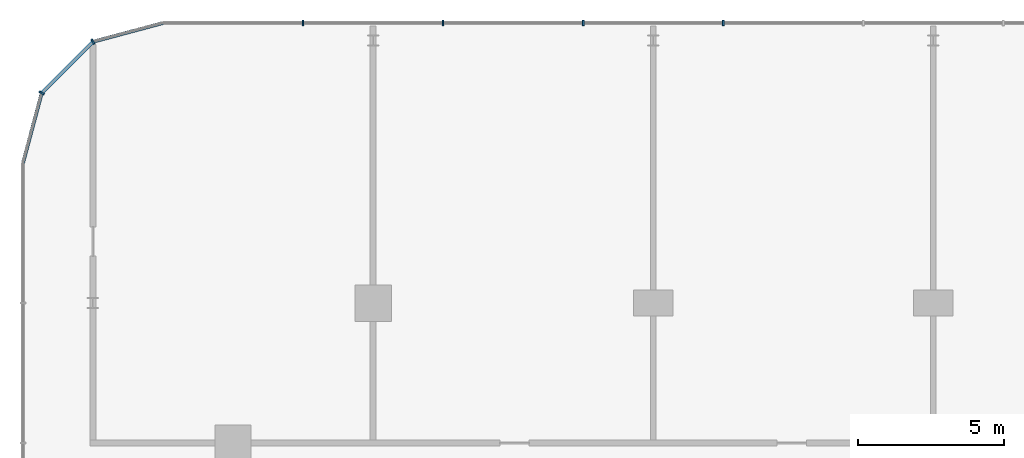
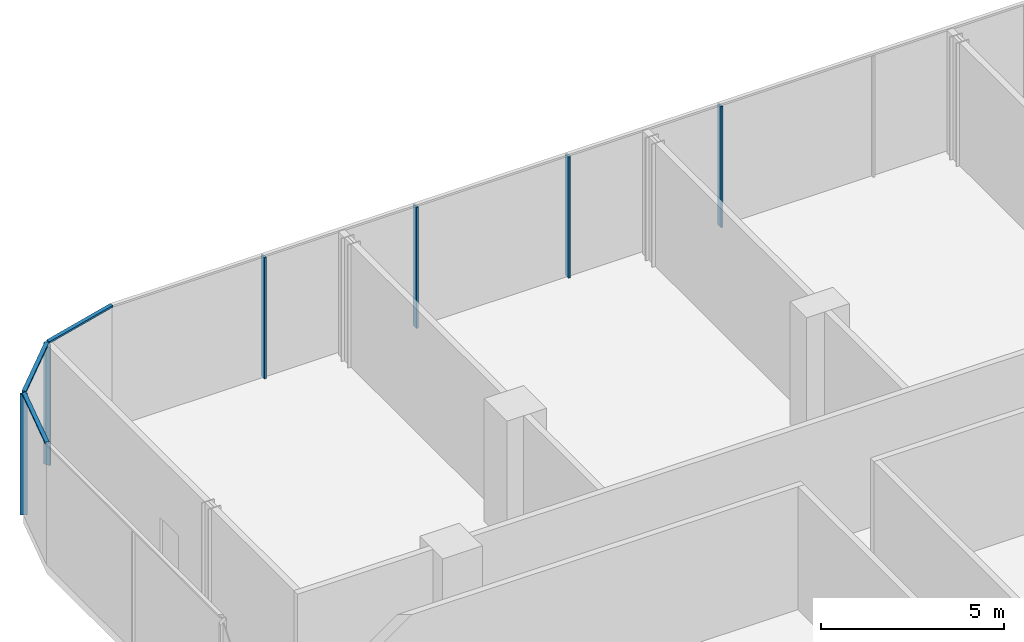
# One storey, part 15 of 32: 9 members, 2 elements without a shape of their own.
"""IFC4 building model written with IfcOpenShell, lengths in metres."""

from ifc_helpers import new_model, si_unit, direction, frame, origin, origin_2d, place, context, subcontext, project, spatial, rectangle, extrude, material, layer, layer_set, material_profile, profile_set, type_object, element, aggregate, save


model = new_model("IFC4")

# Units and contexts
model_context = context("Model", 3, precision=1e-05, world=origin(), true_north=direction((0.0, 1.0)))
body_context = subcontext(model_context, "Body", "Model", "MODEL_VIEW")
ifc_project = project(units=[si_unit("LENGTHUNIT", "METRE"), si_unit("AREAUNIT", "SQUARE_METRE"), si_unit("VOLUMEUNIT", "CUBIC_METRE"), si_unit("PLANEANGLEUNIT", "RADIAN"), si_unit("MASSUNIT", "GRAM", prefix="KILO")], contexts=[model_context])

# Site, building, storey
site_placement = place(None, origin())
site = spatial("IfcSite", under=ifc_project, at=site_placement, CompositionType="ELEMENT")
building_placement = place(site_placement, origin())
building = spatial("IfcBuilding", under=site, at=building_placement, Name="Madar Terraces", CompositionType="ELEMENT")
storey_placement = place(building_placement, frame((0.0, 0.0, 19.5)))
storey = spatial("IfcBuildingStorey", under=building, at=storey_placement, Name="L04", CompositionType="ELEMENT", Elevation=19.5)

# Curtain wall, members
ifc_material_1 = material(Name="Glass, clear low-iron, with black aluminium frame", Category="aluminium")
ifc_layer = layer(ifc_material_1, 0.199951171875)
ifc_layer_set = layer_set([ifc_layer], Name="Facade curtain wall, shopfront glazing")
curtain_wall_type = type_object("IfcCurtainWallType", Name="Facade curtain wall, shopfront glazing", PredefinedType="NOTDEFINED", material=ifc_layer_set)
curtain_wall_1_placement = place(storey_placement, origin())
curtain_wall_1 = element("IfcCurtainWall", 1, at=curtain_wall_1_placement, inside=storey, type_object=curtain_wall_type, Name="Outer skin curtain wall north bay 1", PredefinedType="NOTDEFINED")
ifc_material_2 = material(Name="Aluminium, black anodised", Category="aluminium")
ifc_material_profile_1 = material_profile(ifc_material_2, rectangle(XDim=0.199951171875, YDim=0.06005859375, at=origin_2d()), Name="Facade mullion 60x200")
ifc_profile_set_1 = profile_set([ifc_material_profile_1], Name="Aluminium, black anodised")
member_type_1 = type_object("IfcMemberType", Name="Facade mullion 60x200", PredefinedType="MULLION", material=ifc_profile_set_1)
member_1_placement = place(storey_placement, frame((16.800048828125, 57.60009765625, 0.0), z_axis=(0.0, 0.0, 1.0), x_axis=(0.0, -1.0, 0.0)))
member_1 = element("IfcMember", 2, at=member_1_placement, type_object=member_type_1, Name="Mullion 10", PredefinedType="MULLION", context=body_context, shape_type="SweptSolid", body=[
    extrude(rectangle(XDim=0.199951171875, YDim=0.06005859375, at=origin_2d()), origin(), (0.0, 0.0, 1.0), 4.0400390625),
])
member_2_placement = place(storey_placement, frame((12.0, 57.60009765625, 0.0), z_axis=(0.0, 0.0, 1.0), x_axis=(0.0, -1.0, 0.0)))
member_2 = element("IfcMember", 3, at=member_2_placement, type_object=member_type_1, Name="Mullion 11", PredefinedType="MULLION", context=body_context, shape_type="SweptSolid", body=[
    extrude(rectangle(XDim=0.199951171875, YDim=0.06005859375, at=origin_2d()), origin(), (0.0, 0.0, 1.0), 4.0400390625),
])
member_3_placement = place(storey_placement, frame((7.199951171875, 57.60009765625, 0.0), z_axis=(0.0, 0.0, 1.0), x_axis=(0.0, -1.0, 0.0)))
member_3 = element("IfcMember", 4, at=member_3_placement, type_object=member_type_1, Name="Mullion 12", PredefinedType="MULLION", context=body_context, shape_type="SweptSolid", body=[
    extrude(rectangle(XDim=0.199951171875, YDim=0.06005859375, at=origin_2d()), origin(), (0.0, 0.0, 1.0), 4.0400390625),
])
member_4_placement = place(storey_placement, frame((2.39990234375, 57.60009765625, 0.0), z_axis=(0.0, 0.0, 1.0), x_axis=(0.0, -1.0, 0.0)))
member_4 = element("IfcMember", 5, at=member_4_placement, type_object=member_type_1, Name="Mullion 13", PredefinedType="MULLION", context=body_context, shape_type="SweptSolid", body=[
    extrude(rectangle(XDim=0.199951171875, YDim=0.06005859375, at=origin_2d()), origin(), (0.0, 0.0, 1.0), 4.0400390625),
])
aggregate(curtain_wall_1, [member_1, member_2, member_3, member_4])

curtain_wall_2_placement = place(storey_placement, origin())
curtain_wall_2 = element("IfcCurtainWall", 6, at=curtain_wall_2_placement, inside=storey, type_object=curtain_wall_type, Name="Outer skin curtain wall north-west corner", PredefinedType="NOTDEFINED")
member_5_placement = place(storey_placement, frame((-4.800048828125, 56.95703125, 0.0), z_axis=(0.0, 0.0, 1.0), x_axis=(0.499999989586, -0.866025409797, 0.0)))
member_5 = element("IfcMember", 7, at=member_5_placement, type_object=member_type_1, Name="Mullion 1", PredefinedType="MULLION", context=body_context, shape_type="SweptSolid", body=[
    extrude(rectangle(XDim=0.199951171875, YDim=0.06005859375, at=origin_2d()), origin(), (0.0, 0.0, 1.0), 4.0400390625),
])
member_6_placement = place(storey_placement, frame((-6.556884765625, 55.199951171875, 0.0), z_axis=(0.0, 0.0, 1.0), x_axis=(0.866025409797, -0.499999989586, 0.0)))
member_6 = element("IfcMember", 8, at=member_6_placement, type_object=member_type_1, Name="Mullion 2", PredefinedType="MULLION", context=body_context, shape_type="SweptSolid", body=[
    extrude(rectangle(XDim=0.199951171875, YDim=0.06005859375, at=origin_2d()), origin(), (0.0, 0.0, 1.0), 4.0400390625),
])
ifc_material_3 = material(Name="Aluminium, black anodised", Category="aluminium")
ifc_material_profile_2 = material_profile(ifc_material_3, rectangle(XDim=0.1201171875, YDim=0.06005859375, at=origin_2d()), Name="Facade transom 60x120")
ifc_profile_set_2 = profile_set([ifc_material_profile_2], Name="Aluminium, black anodised")
member_type_2 = type_object("IfcMemberType", Name="Facade transom 60x120", PredefinedType="USERDEFINED", material=ifc_profile_set_2)
member_7_placement = place(storey_placement, frame((-2.39990234375, 57.60009765625, 4.070068359375), z_axis=(-0.965908980432, -0.258881906514, 0.0), x_axis=(0.258881906514, -0.965908980432, 0.0)))
member_7 = element("IfcMember", 9, at=member_7_placement, type_object=member_type_2, Name="Transom 1", ObjectType="TRANSOM", PredefinedType="USERDEFINED", context=body_context, shape_type="SweptSolid", body=[
    extrude(rectangle(XDim=0.1201171875, YDim=0.06005859375, at=origin_2d()), origin(), (0.0, 0.0, 1.0), 2.454833984375),
])
member_8_placement = place(storey_placement, frame((-4.8212890625, 56.935791015625, 4.070068359375), z_axis=(-0.707056433593, -0.707157125196, 0.0), x_axis=(0.707157125196, -0.707056433593, 0.0)))
member_8 = element("IfcMember", 10, at=member_8_placement, type_object=member_type_2, Name="Transom 2", ObjectType="TRANSOM", PredefinedType="USERDEFINED", context=body_context, shape_type="SweptSolid", body=[
    extrude(rectangle(XDim=0.1201171875, YDim=0.06005859375, at=origin_2d()), origin(), (0.0, 0.0, 1.0), 2.424560546875),
])
member_9_placement = place(storey_placement, frame((-6.564697265625, 55.171142578125, 4.070068359375), z_axis=(-0.258789113195, -0.965933846022, 0.0), x_axis=(0.965933846022, -0.258789113195, 0.0)))
member_9 = element("IfcMember", 11, at=member_9_placement, type_object=member_type_2, Name="Transom 3", ObjectType="TRANSOM", PredefinedType="USERDEFINED", context=body_context, shape_type="SweptSolid", body=[
    extrude(rectangle(XDim=0.1201171875, YDim=0.06005859375, at=origin_2d()), origin(), (0.0, 0.0, 1.0), 2.454833984375),
])
aggregate(curtain_wall_2, [member_5, member_7, member_6, member_8, member_9])

save(model, "model.ifc")
